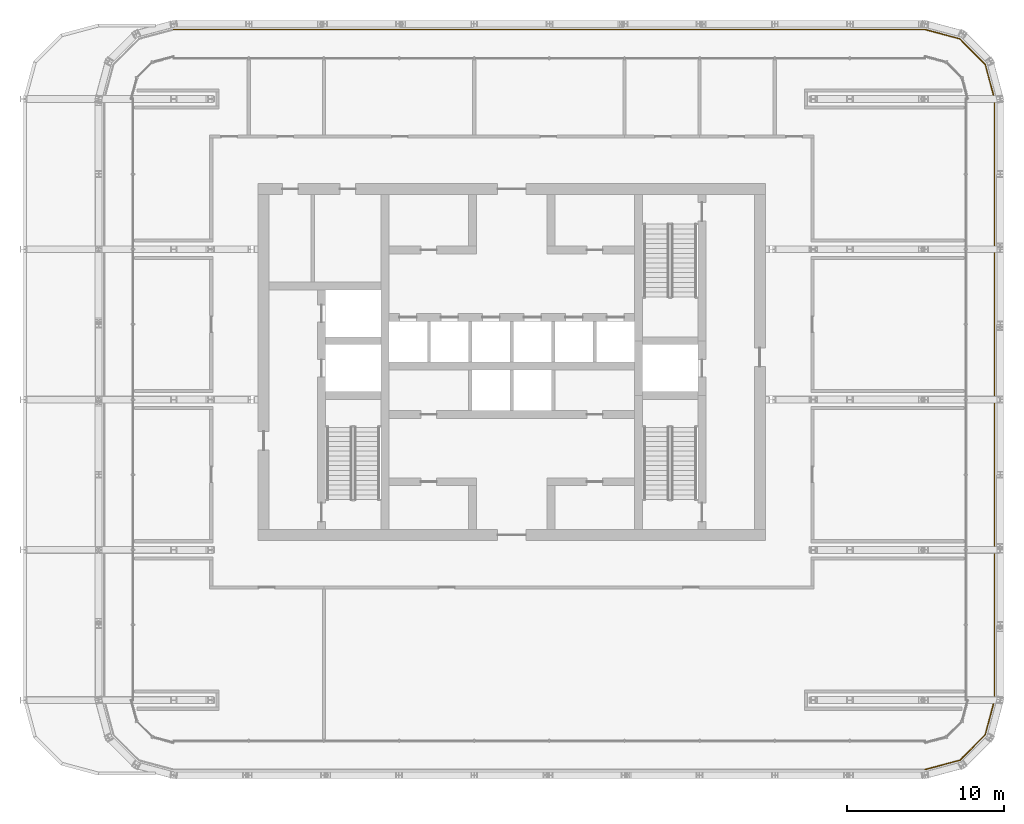
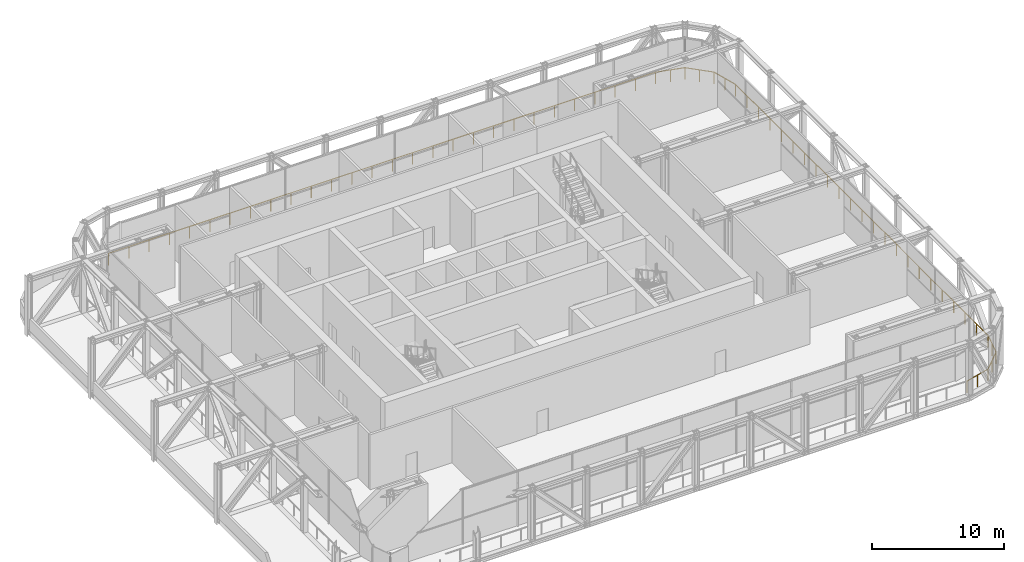
# One storey, part 27 of 30: 1 railing.
"""IFC4 building model written with IfcOpenShell, lengths in metres."""

from ifc_helpers import new_model, si_unit, direction, frame, origin, origin_2d, place, context, subcontext, project, spatial, circle, extrude, material, type_object, element, save


model = new_model("IFC4")

# Units and contexts
model_context = context("Model", 3, precision=1e-05, world=origin(), true_north=direction((0.0, 1.0)))
body_context = subcontext(model_context, "Body", "Model", "MODEL_VIEW")
ifc_project = project(units=[si_unit("LENGTHUNIT", "METRE"), si_unit("AREAUNIT", "SQUARE_METRE"), si_unit("VOLUMEUNIT", "CUBIC_METRE"), si_unit("PLANEANGLEUNIT", "RADIAN"), si_unit("MASSUNIT", "GRAM", prefix="KILO")], contexts=[model_context])

# Site, building, storey
site_placement = place(None, origin())
site = spatial("IfcSite", under=ifc_project, at=site_placement, CompositionType="ELEMENT")
building_placement = place(site_placement, origin())
building = spatial("IfcBuilding", under=site, at=building_placement, Name="Madar Terraces", CompositionType="ELEMENT")
storey_placement = place(building_placement, frame((0.0, 0.0, 173.5)))
storey = spatial("IfcBuildingStorey", under=building, at=storey_placement, Name="L45", CompositionType="ELEMENT", Elevation=173.5)

# Railing
ifc_material = material(Name="Glass, safety glazing, with stainless steel posts", Category="steel")
railing_type = type_object("IfcRailingType", Name="Balcony glass guard 1100", PredefinedType="GUARDRAIL", material=ifc_material)
railing_placement = place(storey_placement, frame((57.60009765625, 0.36083984375, 0.0)))
element("IfcRailing", 1, at=railing_placement, inside=storey, type_object=railing_type, Name="Gallery guard", PredefinedType="GUARDRAIL", context=body_context, shape_type="SweptSolid", body=[
    extrude(circle(Radius=0.02392578125, at=origin_2d()), frame((0.0, 0.0, 1.076171875), z_axis=(0.965923863505, 0.258826370201, 0.0), x_axis=(-0.258826370201, 0.965923863505, 0.0)), (0.0, 0.0, 1.0), 2.2978515625),
    extrude(circle(Radius=0.02392578125, at=origin_2d()), frame((2.219482421875, 0.5947265625, 1.076171875), z_axis=(0.707106781187, 0.707106781187, 0.0), x_axis=(-0.707106781187, 0.707106781187, 0.0)), (0.0, 0.0, 1.0), 2.2978515625),
    extrude(circle(Radius=0.02392578125, at=origin_2d()), frame((3.84423828125, 2.219482421875, 1.076171875), z_axis=(0.258898929411, 0.965904417812, 0.0), x_axis=(-0.965904417812, 0.258898929411, 0.0)), (0.0, 0.0, 1.0), 2.298095703125),
    extrude(circle(Radius=0.02392578125, at=origin_2d()), frame((4.439208984375, 4.439208984375, 1.076171875), z_axis=(0.0, 1.0, 0.0), x_axis=(-1.0, 0.0, 0.0)), (0.0, 0.0, 1.0), 38.39990234375),
    extrude(circle(Radius=0.02392578125, at=origin_2d()), frame((4.439208984375, 42.839111328125, 1.076171875), z_axis=(-0.258898929411, 0.965904417812, 0.0), x_axis=(-0.965904417812, -0.258898929411, 0.0)), (0.0, 0.0, 1.0), 2.298095703125),
    extrude(circle(Radius=0.02392578125, at=origin_2d()), frame((3.84423828125, 45.058837890625, 1.076171875), z_axis=(-0.707106781187, 0.707106781187, 0.0), x_axis=(-0.707106781187, -0.707106781187, 0.0)), (0.0, 0.0, 1.0), 2.2978515625),
    extrude(circle(Radius=0.02392578125, at=origin_2d()), frame((2.219482421875, 46.68359375, 1.076171875), z_axis=(-0.965923863505, 0.258826370201, 0.0), x_axis=(-0.258826370201, -0.965923863505, 0.0)), (0.0, 0.0, 1.0), 2.2978515625),
    extrude(circle(Radius=0.02392578125, at=origin_2d()), frame((0.0, 47.2783203125, 1.076171875), z_axis=(-1.0, 0.0, 0.0), x_axis=(0.0, -1.0, 0.0)), (0.0, 0.0, 1.0), 48.0),
    extrude(circle(Radius=0.02099609375, at=origin_2d()), origin(), (0.0, 0.0, 1.0), 1.052001953125),
    extrude(circle(Radius=0.02099609375, at=origin_2d()), frame((1.10986328125, 0.29736328125, 0.0)), (0.0, 0.0, 1.0), 1.052001953125),
    extrude(circle(Radius=0.02099609375, at=origin_2d()), frame((2.219482421875, 0.5947265625, 0.0)), (0.0, 0.0, 1.0), 1.052001953125),
    extrude(circle(Radius=0.02099609375, at=origin_2d()), frame((3.03173828125, 1.4072265625, 0.0)), (0.0, 0.0, 1.0), 1.052001953125),
    extrude(circle(Radius=0.02099609375, at=origin_2d()), frame((3.84423828125, 2.219482421875, 0.0)), (0.0, 0.0, 1.0), 1.052001953125),
    extrude(circle(Radius=0.02099609375, at=origin_2d()), frame((4.1416015625, 3.329345703125, 0.0)), (0.0, 0.0, 1.0), 1.052001953125),
    extrude(circle(Radius=0.02099609375, at=origin_2d()), frame((4.439208984375, 4.439208984375, 0.0)), (0.0, 0.0, 1.0), 1.052001953125),
    extrude(circle(Radius=0.02099609375, at=origin_2d()), frame((4.439208984375, 6.1845703125, 0.0)), (0.0, 0.0, 1.0), 1.052001953125),
    extrude(circle(Radius=0.02099609375, at=origin_2d()), frame((4.439208984375, 7.93017578125, 0.0)), (0.0, 0.0, 1.0), 1.052001953125),
    extrude(circle(Radius=0.02099609375, at=origin_2d()), frame((4.439208984375, 9.675537109375, 0.0)), (0.0, 0.0, 1.0), 1.052001953125),
    extrude(circle(Radius=0.02099609375, at=origin_2d()), frame((4.439208984375, 11.4208984375, 0.0)), (0.0, 0.0, 1.0), 1.052001953125),
    extrude(circle(Radius=0.02099609375, at=origin_2d()), frame((4.439208984375, 13.16650390625, 0.0)), (0.0, 0.0, 1.0), 1.052001953125),
    extrude(circle(Radius=0.02099609375, at=origin_2d()), frame((4.439208984375, 14.911865234375, 0.0)), (0.0, 0.0, 1.0), 1.052001953125),
    extrude(circle(Radius=0.02099609375, at=origin_2d()), frame((4.439208984375, 16.657470703125, 0.0)), (0.0, 0.0, 1.0), 1.052001953125),
    extrude(circle(Radius=0.02099609375, at=origin_2d()), frame((4.439208984375, 18.40283203125, 0.0)), (0.0, 0.0, 1.0), 1.052001953125),
    extrude(circle(Radius=0.02099609375, at=origin_2d()), frame((4.439208984375, 20.148193359375, 0.0)), (0.0, 0.0, 1.0), 1.052001953125),
    extrude(circle(Radius=0.02099609375, at=origin_2d()), frame((4.439208984375, 21.893798828125, 0.0)), (0.0, 0.0, 1.0), 1.052001953125),
    extrude(circle(Radius=0.02099609375, at=origin_2d()), frame((4.439208984375, 23.63916015625, 0.0)), (0.0, 0.0, 1.0), 1.052001953125),
    extrude(circle(Radius=0.02099609375, at=origin_2d()), frame((4.439208984375, 25.384521484375, 0.0)), (0.0, 0.0, 1.0), 1.052001953125),
    extrude(circle(Radius=0.02099609375, at=origin_2d()), frame((4.439208984375, 27.130126953125, 0.0)), (0.0, 0.0, 1.0), 1.052001953125),
    extrude(circle(Radius=0.02099609375, at=origin_2d()), frame((4.439208984375, 28.87548828125, 0.0)), (0.0, 0.0, 1.0), 1.052001953125),
    extrude(circle(Radius=0.02099609375, at=origin_2d()), frame((4.439208984375, 30.620849609375, 0.0)), (0.0, 0.0, 1.0), 1.052001953125),
    extrude(circle(Radius=0.02099609375, at=origin_2d()), frame((4.439208984375, 32.366455078125, 0.0)), (0.0, 0.0, 1.0), 1.052001953125),
    extrude(circle(Radius=0.02099609375, at=origin_2d()), frame((4.439208984375, 34.11181640625, 0.0)), (0.0, 0.0, 1.0), 1.052001953125),
    extrude(circle(Radius=0.02099609375, at=origin_2d()), frame((4.439208984375, 35.857421875, 0.0)), (0.0, 0.0, 1.0), 1.052001953125),
    extrude(circle(Radius=0.02099609375, at=origin_2d()), frame((4.439208984375, 37.602783203125, 0.0)), (0.0, 0.0, 1.0), 1.052001953125),
    extrude(circle(Radius=0.02099609375, at=origin_2d()), frame((4.439208984375, 39.34814453125, 0.0)), (0.0, 0.0, 1.0), 1.052001953125),
    extrude(circle(Radius=0.02099609375, at=origin_2d()), frame((4.439208984375, 41.09375, 0.0)), (0.0, 0.0, 1.0), 1.052001953125),
    extrude(circle(Radius=0.02099609375, at=origin_2d()), frame((4.439208984375, 42.839111328125, 0.0)), (0.0, 0.0, 1.0), 1.052001953125),
    extrude(circle(Radius=0.02099609375, at=origin_2d()), frame((4.1416015625, 43.948974609375, 0.0)), (0.0, 0.0, 1.0), 1.052001953125),
    extrude(circle(Radius=0.02099609375, at=origin_2d()), frame((3.84423828125, 45.058837890625, 0.0)), (0.0, 0.0, 1.0), 1.052001953125),
    extrude(circle(Radius=0.02099609375, at=origin_2d()), frame((3.03173828125, 45.87109375, 0.0)), (0.0, 0.0, 1.0), 1.052001953125),
    extrude(circle(Radius=0.02099609375, at=origin_2d()), frame((2.219482421875, 46.68359375, 0.0)), (0.0, 0.0, 1.0), 1.052001953125),
    extrude(circle(Radius=0.02099609375, at=origin_2d()), frame((1.10986328125, 46.98095703125, 0.0)), (0.0, 0.0, 1.0), 1.052001953125),
    extrude(circle(Radius=0.02099609375, at=origin_2d()), frame((0.0, 47.2783203125, 0.0)), (0.0, 0.0, 1.0), 1.052001953125),
    extrude(circle(Radius=0.02099609375, at=origin_2d()), frame((-1.77783203125, 47.2783203125, 0.0)), (0.0, 0.0, 1.0), 1.052001953125),
    extrude(circle(Radius=0.02099609375, at=origin_2d()), frame((-3.5556640625, 47.2783203125, 0.0)), (0.0, 0.0, 1.0), 1.052001953125),
    extrude(circle(Radius=0.02099609375, at=origin_2d()), frame((-5.333251953125, 47.2783203125, 0.0)), (0.0, 0.0, 1.0), 1.052001953125),
    extrude(circle(Radius=0.02099609375, at=origin_2d()), frame((-7.111083984375, 47.2783203125, 0.0)), (0.0, 0.0, 1.0), 1.052001953125),
    extrude(circle(Radius=0.02099609375, at=origin_2d()), frame((-8.888916015625, 47.2783203125, 0.0)), (0.0, 0.0, 1.0), 1.052001953125),
    extrude(circle(Radius=0.02099609375, at=origin_2d()), frame((-10.666748046875, 47.2783203125, 0.0)), (0.0, 0.0, 1.0), 1.052001953125),
    extrude(circle(Radius=0.02099609375, at=origin_2d()), frame((-12.4443359375, 47.2783203125, 0.0)), (0.0, 0.0, 1.0), 1.052001953125),
    extrude(circle(Radius=0.02099609375, at=origin_2d()), frame((-14.22216796875, 47.2783203125, 0.0)), (0.0, 0.0, 1.0), 1.052001953125),
    extrude(circle(Radius=0.02099609375, at=origin_2d()), frame((-16.0, 47.2783203125, 0.0)), (0.0, 0.0, 1.0), 1.052001953125),
    extrude(circle(Radius=0.02099609375, at=origin_2d()), frame((-17.77783203125, 47.2783203125, 0.0)), (0.0, 0.0, 1.0), 1.052001953125),
    extrude(circle(Radius=0.02099609375, at=origin_2d()), frame((-19.5556640625, 47.2783203125, 0.0)), (0.0, 0.0, 1.0), 1.052001953125),
    extrude(circle(Radius=0.02099609375, at=origin_2d()), frame((-21.333251953125, 47.2783203125, 0.0)), (0.0, 0.0, 1.0), 1.052001953125),
    extrude(circle(Radius=0.02099609375, at=origin_2d()), frame((-23.111083984375, 47.2783203125, 0.0)), (0.0, 0.0, 1.0), 1.052001953125),
    extrude(circle(Radius=0.02099609375, at=origin_2d()), frame((-24.888916015625, 47.2783203125, 0.0)), (0.0, 0.0, 1.0), 1.052001953125),
    extrude(circle(Radius=0.02099609375, at=origin_2d()), frame((-26.666748046875, 47.2783203125, 0.0)), (0.0, 0.0, 1.0), 1.052001953125),
    extrude(circle(Radius=0.02099609375, at=origin_2d()), frame((-28.4443359375, 47.2783203125, 0.0)), (0.0, 0.0, 1.0), 1.052001953125),
    extrude(circle(Radius=0.02099609375, at=origin_2d()), frame((-30.22216796875, 47.2783203125, 0.0)), (0.0, 0.0, 1.0), 1.052001953125),
    extrude(circle(Radius=0.02099609375, at=origin_2d()), frame((-32.0, 47.2783203125, 0.0)), (0.0, 0.0, 1.0), 1.052001953125),
    extrude(circle(Radius=0.02099609375, at=origin_2d()), frame((-33.77783203125, 47.2783203125, 0.0)), (0.0, 0.0, 1.0), 1.052001953125),
    extrude(circle(Radius=0.02099609375, at=origin_2d()), frame((-35.5556640625, 47.2783203125, 0.0)), (0.0, 0.0, 1.0), 1.052001953125),
    extrude(circle(Radius=0.02099609375, at=origin_2d()), frame((-37.333251953125, 47.2783203125, 0.0)), (0.0, 0.0, 1.0), 1.052001953125),
    extrude(circle(Radius=0.02099609375, at=origin_2d()), frame((-39.111083984375, 47.2783203125, 0.0)), (0.0, 0.0, 1.0), 1.052001953125),
    extrude(circle(Radius=0.02099609375, at=origin_2d()), frame((-40.888916015625, 47.2783203125, 0.0)), (0.0, 0.0, 1.0), 1.052001953125),
    extrude(circle(Radius=0.02099609375, at=origin_2d()), frame((-42.666748046875, 47.2783203125, 0.0)), (0.0, 0.0, 1.0), 1.052001953125),
    extrude(circle(Radius=0.02099609375, at=origin_2d()), frame((-44.4443359375, 47.2783203125, 0.0)), (0.0, 0.0, 1.0), 1.052001953125),
    extrude(circle(Radius=0.02099609375, at=origin_2d()), frame((-46.22216796875, 47.2783203125, 0.0)), (0.0, 0.0, 1.0), 1.052001953125),
    extrude(circle(Radius=0.02099609375, at=origin_2d()), frame((-48.0, 47.2783203125, 0.0)), (0.0, 0.0, 1.0), 1.052001953125),
])

save(model, "model.ifc")
